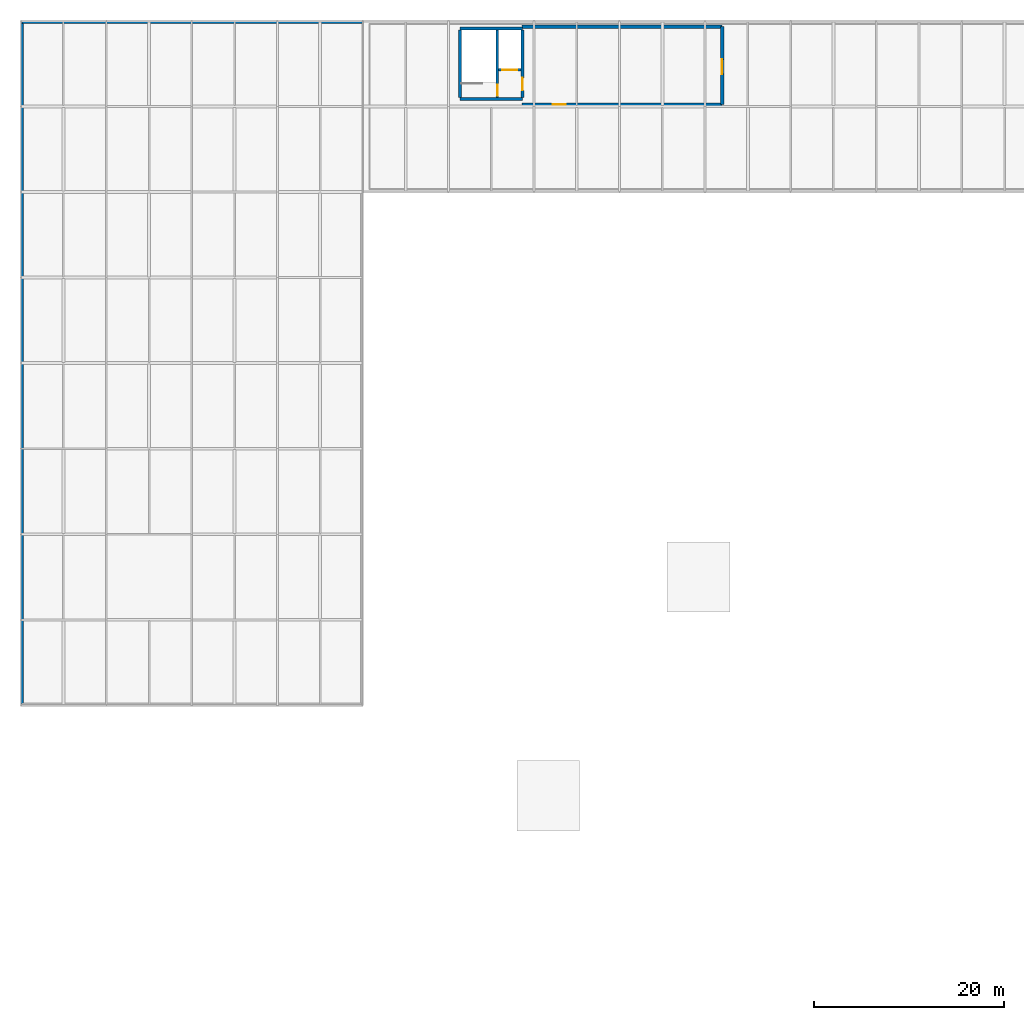
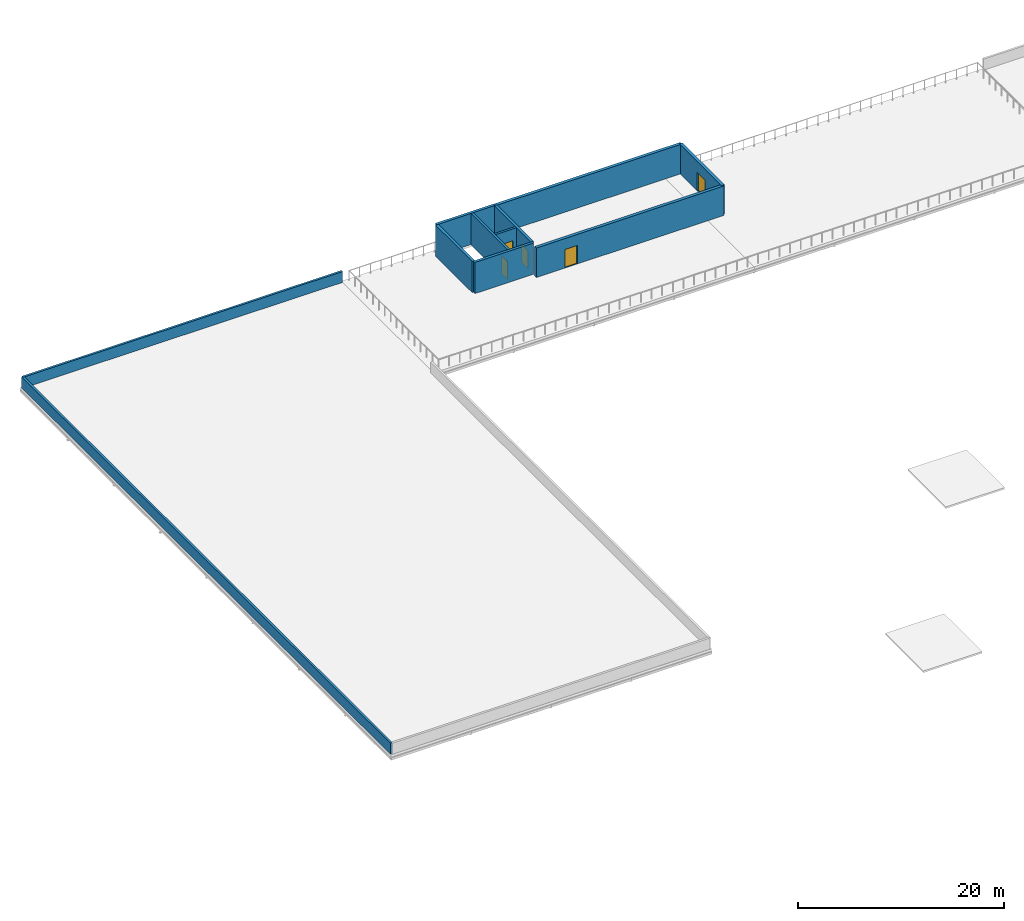
# One storey, part 14 of 18: 11 walls, 5 doors, 5 openings.
"""IFC4 building model written with IfcOpenShell, lengths in metres."""

from ifc_helpers import new_model, si_unit, direction, frame, frame_2d, origin, place, context, subcontext, project, spatial, rectangle, extrude, material, layer, layer_set, type_object, element, fill, save


model = new_model("IFC4")

# Units and contexts
model_context = context("Model", 3, precision=1e-05, world=origin(), true_north=direction((0.0, 1.0)))
body_context = subcontext(model_context, "Body", "Model", "MODEL_VIEW")
ifc_project = project(units=[si_unit("LENGTHUNIT", "METRE"), si_unit("AREAUNIT", "SQUARE_METRE"), si_unit("VOLUMEUNIT", "CUBIC_METRE"), si_unit("PLANEANGLEUNIT", "RADIAN"), si_unit("MASSUNIT", "GRAM", prefix="KILO")], contexts=[model_context])

# Site, building, storey
site_placement = place(None, origin())
site = spatial("IfcSite", under=ifc_project, at=site_placement, CompositionType="ELEMENT")
building_placement = place(site_placement, origin())
building = spatial("IfcBuilding", under=site, at=building_placement, Name="Kildeholm Park Wholesale Market", CompositionType="ELEMENT")
storey_placement = place(building_placement, frame((0.0, 0.0, 13.5)))
storey = spatial("IfcBuildingStorey", under=building, at=storey_placement, Name="L03", CompositionType="ELEMENT", Elevation=13.5)

# Wall, opening, door
ifc_material_1 = material(Name="Precast concrete C40/50 architectural rainscreen wall", Category="concrete")
ifc_layer_1 = layer(ifc_material_1, 0.340087890625)
ifc_layer_set_1 = layer_set([ifc_layer_1], Name="Precast concrete C40/50 architectural rainscreen wall")
wall_type_1 = type_object("IfcWallType", Name="Exterior wall W-EX4 340 mm", PredefinedType="SOLIDWALL", material=ifc_layer_set_1)
wall_1_placement = place(storey_placement, frame((52.75, 162.199951171875, 0.0), z_axis=(0.0, 0.0, 1.0), x_axis=(1.0, 0.0, 0.0)))
wall_1 = element("IfcWall", 1, at=wall_1_placement, inside=storey, type_object=wall_type_1, Name="Conservatory wall W-V4-L03-CNS-S WL-0485", PredefinedType="SOLIDWALL", context=body_context, shape_type="SweptSolid", body=[
    extrude(rectangle(XDim=21.050048828125, YDim=0.340087890625, at=frame_2d((10.52490234375, 0.0))), origin(), (0.0, 0.0, 1.0), 3.5),
])
opening_1_placement = place(wall_1_placement, frame((3.199951171875, 0.0, 0.0)))
opening_1 = element("IfcOpeningElement", 2, at=opening_1_placement, cuts=wall_1, Name="Opening D-EX07", PredefinedType="OPENING", context=body_context, shape_type="SweptSolid", body=[
    extrude(rectangle(XDim=1.39990234375, YDim=2.199951171875, at=frame_2d((0.699951171875, 1.10009765625))), frame((0.0, 0.179931640625, 0.0), z_axis=(0.0, -1.0, 0.0), x_axis=(1.0, 0.0, 0.0)), (0.0, 0.0, 1.0), 0.360107421875),
])
ifc_material_2 = material(Name="Anodised aluminium roof-garden double door", Category="aluminium")
door_type_1 = type_object("IfcDoorType", Name="Exterior door D-EX07 1400x2200", OperationType="NOTDEFINED", PredefinedType="DOOR", material=ifc_material_2)
door_1_placement = place(opening_1_placement, frame((1.39990234375, 0.0, 0.0), z_axis=(0.0, 0.0, 1.0), x_axis=(-1.0, 0.0, 0.0)))
door_1 = element("IfcDoor", 3, at=door_1_placement, inside=storey, type_object=door_type_1, Name="Cold-block L03 roof garden south door DR-0048 WL-0485", OperationType="DOUBLE_DOOR_SINGLE_SWING", OverallHeight=2.199951171875, OverallWidth=1.39990234375, PredefinedType="DOOR", context=body_context, shape_type="SweptSolid", body=[
    extrude(rectangle(XDim=1.39990234375, YDim=2.199951171875, at=frame_2d((0.699951171875, 1.10009765625))), frame((0.0, 0.02490234375, 0.0), z_axis=(0.0, -1.0, 0.0), x_axis=(1.0, 0.0, 0.0)), (0.0, 0.0, 1.0), 0.050048828125),
])
fill(opening_1, door_1)

# Wall
wall_2_placement = place(storey_placement, frame((52.75, 170.39990234375, 0.0), z_axis=(0.0, 0.0, 1.0), x_axis=(1.0, 0.0, 0.0)))
element("IfcWall", 4, at=wall_2_placement, inside=storey, type_object=wall_type_1, Name="Conservatory wall W-V4-L03-CNS-N WL-0486", PredefinedType="SOLIDWALL", context=body_context, shape_type="SweptSolid", body=[
    extrude(rectangle(XDim=21.050048828125, YDim=0.340087890625, at=frame_2d((10.52490234375, 0.0))), origin(), (0.0, 0.0, 1.0), 3.5),
])

# Wall, opening, door
wall_3_placement = place(storey_placement, frame((73.800048828125, 162.199951171875, 0.0), z_axis=(0.0, 0.0, 1.0), x_axis=(0.0, 1.0, 0.0)))
wall_3 = element("IfcWall", 5, at=wall_3_placement, inside=storey, type_object=wall_type_1, Name="Conservatory wall W-V4-L03-CNS-E WL-0487", PredefinedType="SOLIDWALL", context=body_context, shape_type="SweptSolid", body=[
    extrude(rectangle(XDim=8.199951171875, YDim=0.340087890625, at=frame_2d((4.10009765625, 0.0))), origin(), (0.0, 0.0, 1.0), 3.5),
])
opening_2_placement = place(wall_3_placement, frame((3.199951171875, 0.0, 0.0)))
opening_2 = element("IfcOpeningElement", 6, at=opening_2_placement, cuts=wall_3, Name="Opening D-EX12", PredefinedType="OPENING", context=body_context, shape_type="SweptSolid", body=[
    extrude(rectangle(XDim=1.550048828125, YDim=2.199951171875, at=frame_2d((0.77490234375, 1.10009765625))), frame((0.0, 0.179931640625, 0.0), z_axis=(0.0, -1.0, 0.0), x_axis=(1.0, 0.0, 0.0)), (0.0, 0.0, 1.0), 0.360107421875),
])
ifc_material_3 = material(Name="Anodised aluminium conservatory garden door", Category="aluminium")
door_type_2 = type_object("IfcDoorType", Name="Exterior door D-EX12 1550x2200", OperationType="NOTDEFINED", PredefinedType="DOOR", material=ifc_material_3)
door_2_placement = place(opening_2_placement, frame((1.550048828125, 0.0, 0.0), z_axis=(0.0, 0.0, 1.0), x_axis=(-1.0, 0.0, 0.0)))
door_2 = element("IfcDoor", 7, at=door_2_placement, inside=storey, type_object=door_type_2, Name="Cold-block L03 roof garden east door DR-0049 WL-0487", OperationType="DOUBLE_DOOR_SINGLE_SWING", OverallHeight=2.199951171875, OverallWidth=1.550048828125, PredefinedType="DOOR", context=body_context, shape_type="SweptSolid", body=[
    extrude(rectangle(XDim=1.550048828125, YDim=2.199951171875, at=frame_2d((0.77490234375, 1.10009765625))), frame((0.0, 0.02490234375, 0.0), z_axis=(0.0, -1.0, 0.0), x_axis=(1.0, 0.0, 0.0)), (0.0, 0.0, 1.0), 0.050048828125),
])
fill(opening_2, door_2)

# Walls
ifc_material_4 = material(Name="Precast concrete C40/50 ceramic-coped parapet", Category="concrete")
ifc_layer_2 = layer(ifc_material_4, 0.239990234375)
ifc_layer_set_2 = layer_set([ifc_layer_2], Name="Precast concrete C40/50 ceramic-coped parapet")
wall_type_2 = type_object("IfcWallType", Name="Exterior wall W-PR1 240 mm", PredefinedType="PARAPET", material=ifc_layer_set_2)
wall_4_placement = place(storey_placement, frame((0.14990234375, 99.14990234375, 0.0), z_axis=(0.0, 0.0, 1.0), x_axis=(0.0, 1.0, 0.0)))
element("IfcWall", 8, at=wall_4_placement, inside=storey, type_object=wall_type_2, Name="Cold-block parapet PR-V4-RFW-W WL-0488", PredefinedType="PARAPET", context=body_context, shape_type="SweptSolid", body=[
    extrude(rectangle(XDim=71.7001953125, YDim=0.239990234375, at=frame_2d((35.85009765625, 0.0))), origin(), (0.0, 0.0, 1.0), 1.300048828125),
])
wall_5_placement = place(storey_placement, frame((0.14990234375, 170.85009765625, 0.0), z_axis=(0.0, 0.0, 1.0), x_axis=(1.0, 0.0, 0.0)))
element("IfcWall", 9, at=wall_5_placement, inside=storey, type_object=wall_type_2, Name="Cold-block parapet PR-V4-RFW-N WL-0489", PredefinedType="PARAPET", context=body_context, shape_type="SweptSolid", body=[
    extrude(rectangle(XDim=35.85009765625, YDim=0.239990234375, at=frame_2d((17.925048828125, 0.0))), origin(), (0.0, 0.0, 1.0), 1.300048828125),
])
ifc_material_5 = material(Name="Concrete C40/50", Category="concrete")
ifc_layer_3 = layer(ifc_material_5, 0.300048828125)
ifc_layer_set_3 = layer_set([ifc_layer_3], Name="Concrete C40/50")
wall_type_3 = type_object("IfcWallType", Name="Shear wall W-SH1 300 mm", PredefinedType="SHEAR", material=ifc_layer_set_3)
for number, where, z_axis, x_axis, name in (
    (10, (46.199951171875, 162.800048828125, 0.0), (0.0, 0.0, 1.0), (1.0, 0.0, 0.0), "Core C02 south shear wall L03 WL-0683"),
    (11, (46.199951171875, 170.199951171875, 0.0), (0.0, 0.0, 1.0), (1.0, 0.0, 0.0), "Core C02 north shear wall L03 WL-0684"),
):
    element("IfcWall", number, at=place(storey_placement, frame(where, z_axis=z_axis, x_axis=x_axis)), inside=storey, type_object=wall_type_3, Name=name, PredefinedType="SHEAR", context=body_context, shape_type="SweptSolid", body=[
        extrude(rectangle(XDim=6.60009765625, YDim=0.300048828125, at=frame_2d((3.300048828125, 0.0))), origin(), (0.0, 0.0, 1.0), 3.699951171875),
    ])
wall_6_placement = place(storey_placement, frame((46.199951171875, 162.949951171875, 0.0), z_axis=(0.0, 0.0, 1.0), x_axis=(0.0, 1.0, 0.0)))
element("IfcWall", 12, at=wall_6_placement, inside=storey, type_object=wall_type_3, Name="Core C02 west shear wall L03 WL-0685", PredefinedType="SHEAR", context=body_context, shape_type="SweptSolid", body=[
    extrude(rectangle(XDim=7.10009765625, YDim=0.300048828125, at=frame_2d((3.550048828125, 0.0))), origin(), (0.0, 0.0, 1.0), 3.699951171875),
])

# Wall, opening, door
wall_7_placement = place(storey_placement, frame((52.800048828125, 162.949951171875, 0.0), z_axis=(0.0, 0.0, 1.0), x_axis=(0.0, 1.0, 0.0)))
wall_7 = element("IfcWall", 13, at=wall_7_placement, inside=storey, type_object=wall_type_3, Name="Core C02 east shear wall L03 WL-0686", PredefinedType="SHEAR", context=body_context, shape_type="SweptSolid", body=[
    extrude(rectangle(XDim=7.10009765625, YDim=0.300048828125, at=frame_2d((3.550048828125, 0.0))), origin(), (0.0, 0.0, 1.0), 3.699951171875),
])
opening_3_placement = place(wall_7_placement, frame((0.75, 0.0, 0.0)))
opening_3 = element("IfcOpeningElement", 14, at=opening_3_placement, cuts=wall_7, Name="Opening D-CR02", PredefinedType="OPENING", context=body_context, shape_type="SweptSolid", body=[
    extrude(rectangle(XDim=1.300048828125, YDim=2.14990234375, at=frame_2d((0.64990234375, 1.074951171875))), frame((0.0, 0.159912109375, 0.0), z_axis=(0.0, -1.0, 0.0), x_axis=(1.0, 0.0, 0.0)), (0.0, 0.0, 1.0), 0.320068359375),
])
ifc_material_6 = material(Name="Painted steel core lobby double-leaf doorset", Category="steel")
door_type_3 = type_object("IfcDoorType", Name="Interior door D-CR02 1300x2150", OperationType="NOTDEFINED", PredefinedType="DOOR", material=ifc_material_6)
door_3_placement = place(opening_3_placement, frame((1.300048828125, 0.0, 0.0), z_axis=(0.0, 0.0, 1.0), x_axis=(-1.0, 0.0, 0.0)))
door_3 = element("IfcDoor", 15, at=door_3_placement, inside=storey, type_object=door_type_3, Name="Core C02 lobby entrance door L03 DR-0092 WL-0686", OperationType="DOUBLE_DOOR_SINGLE_SWING", OverallHeight=2.14990234375, OverallWidth=1.300048828125, PredefinedType="DOOR", context=body_context, shape_type="SweptSolid", body=[
    extrude(rectangle(XDim=1.300048828125, YDim=2.14990234375, at=frame_2d((0.64990234375, 1.074951171875))), frame((0.0, 0.02490234375, 0.0), z_axis=(0.0, -1.0, 0.0), x_axis=(1.0, 0.0, 0.0)), (0.0, 0.0, 1.0), 0.050048828125),
])
fill(opening_3, door_3)

ifc_layer_4 = layer(ifc_material_5, 0.25)
ifc_layer_set_4 = layer_set([ifc_layer_4], Name="Concrete C40/50")
wall_type_4 = type_object("IfcWallType", Name="Shear wall W-SH2 250 mm", PredefinedType="SHEAR", material=ifc_layer_set_4)
wall_8_placement = place(storey_placement, frame((50.14990234375, 162.949951171875, 0.0), z_axis=(0.0, 0.0, 1.0), x_axis=(0.0, 1.0, 0.0)))
wall_8 = element("IfcWall", 16, at=wall_8_placement, inside=storey, type_object=wall_type_4, Name="Core C02 shaft wall L03 WL-0687", PredefinedType="SHEAR", context=body_context, shape_type="SweptSolid", body=[
    extrude(rectangle(XDim=7.10009765625, YDim=0.25, at=frame_2d((3.550048828125, 0.0))), origin(), (0.0, 0.0, 1.0), 3.699951171875),
])
opening_4_placement = place(wall_8_placement, frame((0.199951171875, 0.0, 0.0)))
opening_4 = element("IfcOpeningElement", 17, at=opening_4_placement, cuts=wall_8, Name="Opening D-CR01", PredefinedType="OPENING", context=body_context, shape_type="SweptSolid", body=[
    extrude(rectangle(XDim=1.14990234375, YDim=2.14990234375, at=frame_2d((0.574951171875, 1.074951171875))), frame((0.0, 0.135009765625, 0.0), z_axis=(0.0, -1.0, 0.0), x_axis=(1.0, 0.0, 0.0)), (0.0, 0.0, 1.0), 0.27001953125),
])
ifc_material_7 = material(Name="Painted steel fire escape doorset", Category="steel")
door_type_4 = type_object("IfcDoorType", Name="Interior door D-CR01 1150x2150", OperationType="NOTDEFINED", PredefinedType="DOOR", material=ifc_material_7)
door_4_placement = place(opening_4_placement, frame((1.14990234375, 0.0, 0.0), z_axis=(0.0, 0.0, 1.0), x_axis=(-1.0, 0.0, 0.0)))
door_4 = element("IfcDoor", 18, at=door_4_placement, inside=storey, type_object=door_type_4, Name="Core C02 stair fire door L03 DR-0093 WL-0687", OperationType="SINGLE_SWING_LEFT", OverallHeight=2.14990234375, OverallWidth=1.14990234375, PredefinedType="DOOR", context=body_context, shape_type="SweptSolid", body=[
    extrude(rectangle(XDim=1.14990234375, YDim=2.14990234375, at=frame_2d((0.574951171875, 1.074951171875))), frame((0.0, 0.02490234375, 0.0), z_axis=(0.0, -1.0, 0.0), x_axis=(1.0, 0.0, 0.0)), (0.0, 0.0, 1.0), 0.050048828125),
])
fill(opening_4, door_4)

wall_9_placement = place(storey_placement, frame((50.27001953125, 165.85009765625, 0.0), z_axis=(0.0, 0.0, 1.0), x_axis=(1.0, 0.0, 0.0)))
wall_9 = element("IfcWall", 19, at=wall_9_placement, inside=storey, type_object=wall_type_4, Name="Lift LF-07 shaft front wall L03 WL-0688", PredefinedType="SHEAR", context=body_context, shape_type="SweptSolid", body=[
    extrude(rectangle(XDim=2.3798828125, YDim=0.25, at=frame_2d((1.18994140625, 0.0))), origin(), (0.0, 0.0, 1.0), 3.699951171875),
])
opening_5_placement = place(wall_9_placement, frame((0.389892578125, 0.0, 0.0)))
opening_5 = element("IfcOpeningElement", 20, at=opening_5_placement, cuts=wall_9, Name="Opening LD-07", PredefinedType="OPENING", context=body_context, shape_type="SweptSolid", body=[
    extrude(rectangle(XDim=1.60009765625, YDim=2.300048828125, at=frame_2d((0.800048828125, 1.14990234375))), frame((0.0, 0.135009765625, 0.0), z_axis=(0.0, -1.0, 0.0), x_axis=(1.0, 0.0, 0.0)), (0.0, 0.0, 1.0), 0.27001953125),
])
ifc_material_8 = material(Name="Stainless steel AISI 316 goods lift landing door", Category="steel")
door_type_5 = type_object("IfcDoorType", Name="Interior door D-LD02 1600x2300", OperationType="NOTDEFINED", PredefinedType="DOOR", material=ifc_material_8)
door_5_placement = place(opening_5_placement, origin())
door_5 = element("IfcDoor", 21, at=door_5_placement, inside=storey, type_object=door_type_5, Name="Lift LF-07 sliding landing door L03 DR-0094 WL-0688", OperationType="SLIDING_TO_LEFT", OverallHeight=2.300048828125, OverallWidth=1.60009765625, PredefinedType="DOOR", context=body_context, shape_type="SweptSolid", body=[
    extrude(rectangle(XDim=1.60009765625, YDim=2.300048828125, at=frame_2d((0.800048828125, 1.14990234375))), frame((0.0, 0.02490234375, 0.0), z_axis=(0.0, -1.0, 0.0), x_axis=(1.0, 0.0, 0.0)), (0.0, 0.0, 1.0), 0.050048828125),
])
fill(opening_5, door_5)

save(model, "model.ifc")
